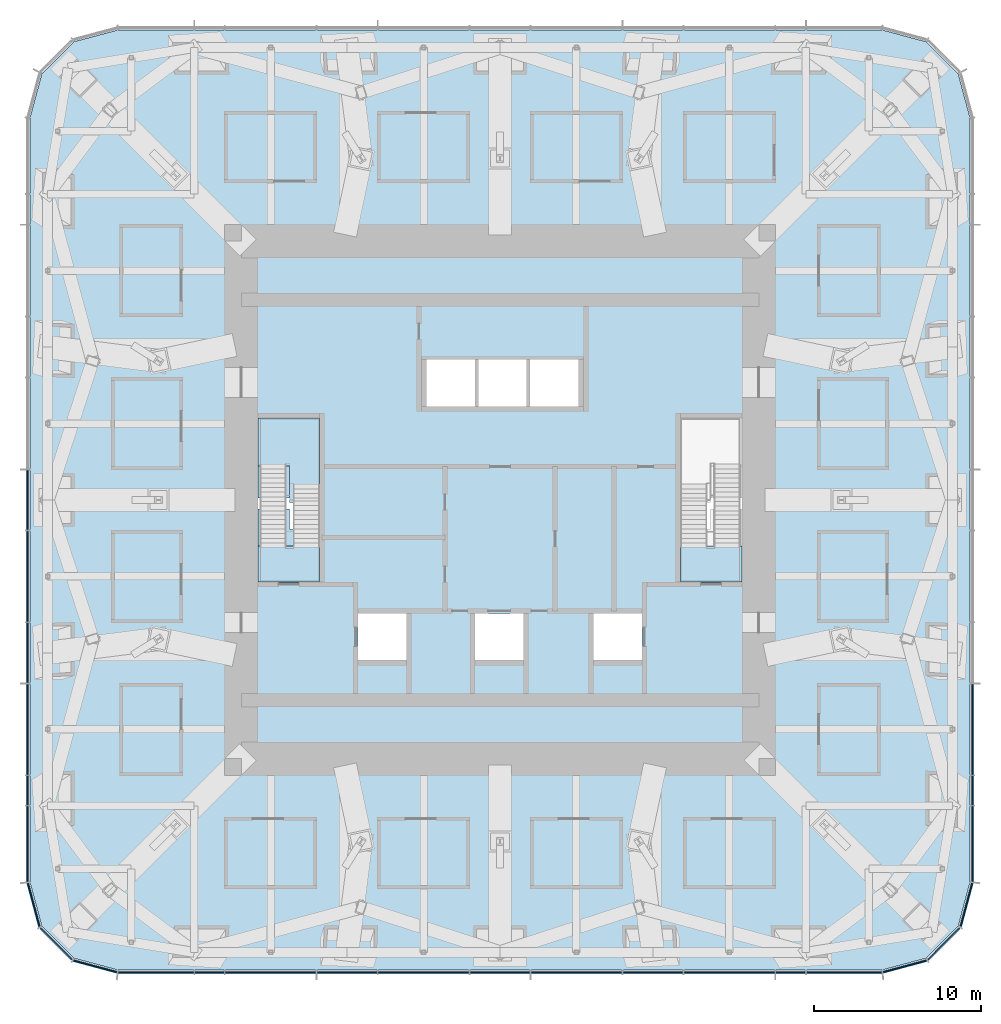
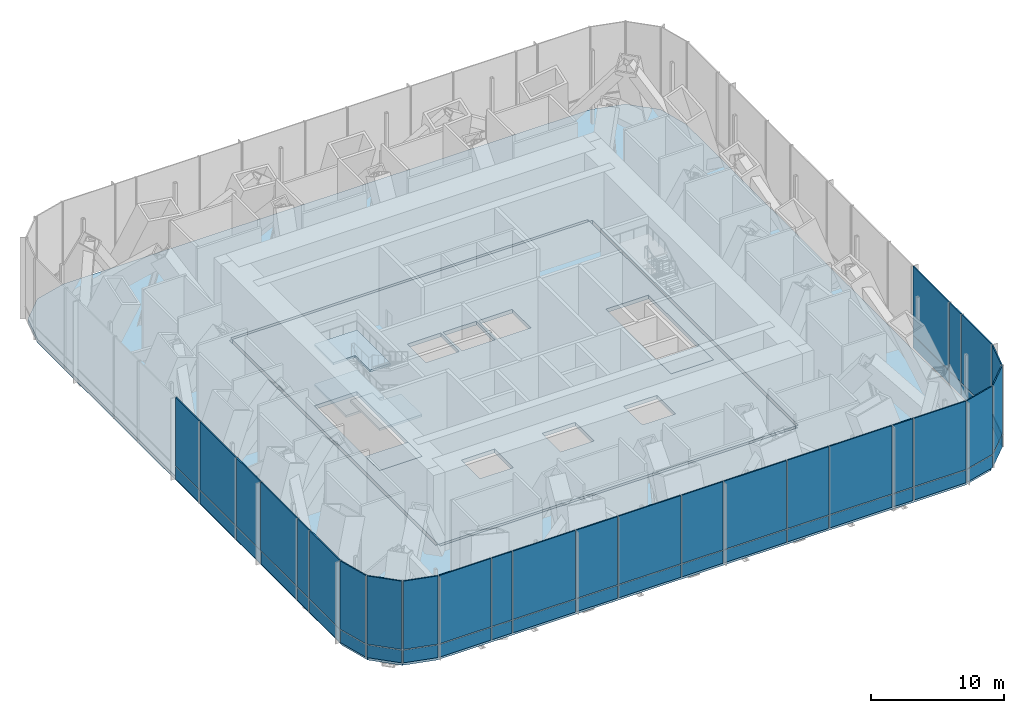
# One storey, part 10 of 16: 52 plates, 7 slabs, 7 elements without a shape of their own.
"""IFC4 building model written with IfcOpenShell, lengths in metres."""

from ifc_helpers import new_model, si_unit, direction, frame, origin, origin_2d, place, context, subcontext, project, spatial, polyline, rectangle, outline, extrude, material, layer, layer_set, type_object, element, aggregate, save


model = new_model("IFC4")

# Units and contexts
model_context = context("Model", 3, precision=1e-05, world=origin(), true_north=direction((0.0, 1.0)))
body_context = subcontext(model_context, "Body", "Model", "MODEL_VIEW")
ifc_project = project(units=[si_unit("LENGTHUNIT", "METRE"), si_unit("AREAUNIT", "SQUARE_METRE"), si_unit("VOLUMEUNIT", "CUBIC_METRE"), si_unit("PLANEANGLEUNIT", "RADIAN"), si_unit("MASSUNIT", "GRAM", prefix="KILO")], contexts=[model_context])

# Site, building, storey
site_placement = place(None, origin())
site = spatial("IfcSite", under=ifc_project, at=site_placement, CompositionType="ELEMENT")
building_placement = place(site_placement, origin())
building = spatial("IfcBuilding", under=site, at=building_placement, Name="Khuree Lantern Residences", CompositionType="ELEMENT")
storey_placement = place(building_placement, frame((0.0, 0.0, 192.0)))
storey = spatial("IfcBuildingStorey", under=building, at=storey_placement, Name="L48", CompositionType="ELEMENT", Elevation=192.0)

# Slabs
ifc_material_1 = material(Name="Concrete C35/45", Category="concrete")
ifc_layer_1 = layer(ifc_material_1, 0.35009765625)
ifc_layer_set_1 = layer_set([ifc_layer_1], Name="CFL350 CORE FLOOR SLAB 350")
slab_type_1 = type_object("IfcSlabType", Name="CFL350 CORE FLOOR SLAB 350", PredefinedType="FLOOR", material=ifc_layer_set_1)
slab_1_placement = place(storey_placement, frame((0.0, 0.0, -0.35009765625)))
element("IfcSlab", 1, at=slab_1_placement, inside=storey, type_object=slab_type_1, Name="Core floor L48", PredefinedType="FLOOR", context=body_context, shape_type="SweptSolid", body=[
    extrude(outline(polyline([(-15.5, -15.5), (-15.5, 15.5), (15.5, 15.5), (15.5, -15.5), (-15.5, -15.5)]), holes=[polyline([(10.800048828125, 4.89990234375), (10.800048828125, -4.89990234375), (14.5, -4.89990234375), (14.5, 4.89990234375), (10.800048828125, 4.89990234375)]), polyline([(5.60009765625, -6.800048828125), (5.60009765625, -9.60009765625), (8.5, -9.60009765625), (8.5, -6.800048828125), (5.60009765625, -6.800048828125)]), polyline([(1.800048828125, 8.39990234375), (1.800048828125, 5.60009765625), (4.699951171875, 5.60009765625), (4.699951171875, 8.39990234375), (1.800048828125, 8.39990234375)]), polyline([(-1.300048828125, 8.39990234375), (-1.300048828125, 5.60009765625), (1.60009765625, 5.60009765625), (1.60009765625, 8.39990234375), (-1.300048828125, 8.39990234375)]), polyline([(-1.5, -6.800048828125), (-1.5, -9.60009765625), (1.39990234375, -9.60009765625), (1.39990234375, -6.800048828125), (-1.5, -6.800048828125)]), polyline([(-4.39990234375, 8.39990234375), (-4.39990234375, 5.60009765625), (-1.5, 5.60009765625), (-1.5, 8.39990234375), (-4.39990234375, 8.39990234375)]), polyline([(-8.5, -6.800048828125), (-8.5, -9.60009765625), (-5.60009765625, -9.60009765625), (-5.60009765625, -6.800048828125), (-8.5, -6.800048828125)]), polyline([(-14.5, 4.89990234375), (-14.5, -4.89990234375), (-10.800048828125, -4.89990234375), (-10.800048828125, 4.89990234375), (-14.5, 4.89990234375)])]), origin(), (0.0, 0.0, 1.0), 0.35009765625),
])
ifc_layer_2 = layer(ifc_material_1, 0.35009765625)
ifc_layer_set_2 = layer_set([ifc_layer_2], Name="FS350 FLOOR SLAB 350")
slab_type_2 = type_object("IfcSlabType", Name="FS350 FLOOR SLAB 350", PredefinedType="FLOOR", material=ifc_layer_set_2)
slab_2_placement = place(storey_placement, frame((0.0, 0.0, -0.35009765625)))
element("IfcSlab", 2, at=slab_2_placement, inside=storey, type_object=slab_type_2, Name="Floor slab L48", PredefinedType="FLOOR", context=body_context, shape_type="SweptSolid", body=[
    extrude(outline(polyline([(-25.52490234375, -27.446533203125), (-27.446533203125, -25.52490234375), (-28.14990234375, -22.89990234375), (-28.14990234375, 22.89990234375), (-27.446533203125, 25.52490234375), (-25.52490234375, 27.446533203125), (-22.89990234375, 28.14990234375), (22.89990234375, 28.14990234375), (25.52490234375, 27.446533203125), (27.446533203125, 25.52490234375), (28.14990234375, 22.89990234375), (28.14990234375, -22.89990234375), (27.446533203125, -25.52490234375), (25.52490234375, -27.446533203125), (22.89990234375, -28.14990234375), (-22.89990234375, -28.14990234375), (-25.52490234375, -27.446533203125)]), holes=[polyline([(15.75, 15.5), (15.5, 15.5), (15.5, 15.75), (-15.5, 15.75), (-15.5, 15.5), (-15.75, 15.5), (-15.75, -15.5), (-15.5, -15.5), (-15.5, -15.75), (15.5, -15.75), (15.5, -15.5), (15.75, -15.5), (15.75, 15.5)])]), origin(), (0.0, 0.0, 1.0), 0.35009765625),
])

# Curtain wall, plates
ifc_material_2 = material(Name="Bronze anodised aluminium", Category="aluminium")
curtain_wall_type = type_object("IfcCurtainWallType", Name="CW-G PLANT STOREY LOUVRED CURTAIN WALL", PredefinedType="USERDEFINED", material=ifc_material_2)
curtain_wall_1_placement = place(storey_placement, origin())
curtain_wall_1 = element("IfcCurtainWall", 3, at=curtain_wall_1_placement, inside=storey, type_object=curtain_wall_type, Name="L48 SOUTH-EAST CORNER CURTAIN WALL", ObjectType="Louvred curtain wall", PredefinedType="USERDEFINED")
ifc_material_3 = material(Name="Bronze anodised aluminium louvre blades", Category="aluminium")
ifc_layer_3 = layer(ifc_material_3, 0.10009765625)
ifc_layer_set_3 = layer_set([ifc_layer_3], Name="LOUVRE PANEL P5")
plate_type_1 = type_object("IfcPlateType", Name="LOUVRE PANEL P5", PredefinedType="CURTAIN_PANEL", material=ifc_layer_set_3)
plate_1_placement = place(storey_placement, frame((24.24609375, -27.939208984375, 1.240234375), z_axis=(0.0, 0.0, 1.0), x_axis=(0.965925810153, 0.258819105321, 0.0)))
plate_1 = element("IfcPlate", 4, at=plate_1_placement, type_object=plate_type_1, Name="L48 SOUTH-EAST CORNER PANEL 1.2", PredefinedType="CURTAIN_PANEL", context=body_context, shape_type="SweptSolid", body=[
    extrude(rectangle(XDim=2.693603515625, YDim=0.10009765625, at=origin_2d()), origin(), (0.0, 0.0, 1.0), 6.260009765625),
])
plate_2_placement = place(storey_placement, frame((26.58837890625, -26.58837890625, 1.240234375), z_axis=(0.0, 0.0, 1.0), x_axis=(0.707106781187, 0.707106781187, 0.0)))
plate_2 = element("IfcPlate", 5, at=plate_2_placement, type_object=plate_type_1, Name="L48 SOUTH-EAST CORNER PANEL 2.2", PredefinedType="CURTAIN_PANEL", context=body_context, shape_type="SweptSolid", body=[
    extrude(rectangle(XDim=2.685546875, YDim=0.10009765625, at=origin_2d()), origin(), (0.0, 0.0, 1.0), 6.260009765625),
])
plate_3_placement = place(storey_placement, frame((27.939208984375, -24.24609375, 1.240234375), z_axis=(0.0, 0.0, 1.0), x_axis=(0.258819105321, 0.965925810153, 0.0)))
plate_3 = element("IfcPlate", 6, at=plate_3_placement, type_object=plate_type_1, Name="L48 SOUTH-EAST CORNER PANEL 3.2", PredefinedType="CURTAIN_PANEL", context=body_context, shape_type="SweptSolid", body=[
    extrude(rectangle(XDim=2.693603515625, YDim=0.10009765625, at=origin_2d()), origin(), (0.0, 0.0, 1.0), 6.260009765625),
])

curtain_wall_2_placement = place(storey_placement, origin())
curtain_wall_2 = element("IfcCurtainWall", 7, at=curtain_wall_2_placement, inside=storey, type_object=curtain_wall_type, Name="L48 EAST FACE CURTAIN WALL", ObjectType="Louvred curtain wall", PredefinedType="USERDEFINED")
plate_4_placement = place(storey_placement, frame((28.300048828125, -20.6064453125, 1.240234375), z_axis=(0.0, 0.0, 1.0), x_axis=(0.0, 1.0, 0.0)))
plate_4 = element("IfcPlate", 8, at=plate_4_placement, type_object=plate_type_1, Name="L48 EAST FACE PANEL 4.2", PredefinedType="CURTAIN_PANEL", context=body_context, shape_type="SweptSolid", body=[
    extrude(rectangle(XDim=4.4931640625, YDim=0.10009765625, at=origin_2d()), origin(), (0.0, 0.0, 1.0), 6.260009765625),
])
plate_5_placement = place(storey_placement, frame((28.300048828125, -17.404052734375, 1.240234375), z_axis=(0.0, 0.0, 1.0), x_axis=(0.0, 1.0, 0.0)))
plate_5 = element("IfcPlate", 9, at=plate_5_placement, type_object=plate_type_1, Name="L48 EAST FACE PANEL 5.2", PredefinedType="CURTAIN_PANEL", context=body_context, shape_type="SweptSolid", body=[
    extrude(rectangle(XDim=1.751953125, YDim=0.10009765625, at=origin_2d()), origin(), (0.0, 0.0, 1.0), 6.260009765625),
])
plate_6_placement = place(storey_placement, frame((28.300048828125, -13.739990234375, 1.240234375), z_axis=(0.0, 0.0, 1.0), x_axis=(0.0, 1.0, 0.0)))
plate_6 = element("IfcPlate", 10, at=plate_6_placement, type_object=plate_type_1, Name="L48 EAST FACE PANEL 6.2", PredefinedType="CURTAIN_PANEL", context=body_context, shape_type="SweptSolid", body=[
    extrude(rectangle(XDim=5.416015625, YDim=0.10009765625, at=origin_2d()), origin(), (0.0, 0.0, 1.0), 6.260009765625),
])

curtain_wall_3_placement = place(storey_placement, origin())
curtain_wall_3 = element("IfcCurtainWall", 11, at=curtain_wall_3_placement, inside=storey, type_object=curtain_wall_type, Name="L48 WEST FACE CURTAIN WALL", ObjectType="Louvred curtain wall", PredefinedType="USERDEFINED")
plate_7_placement = place(storey_placement, frame((-28.300048828125, 0.0, 1.240234375), z_axis=(0.0, 0.0, 1.0), x_axis=(0.0, -1.0, 0.0)))
plate_7 = element("IfcPlate", 12, at=plate_7_placement, type_object=plate_type_1, Name="L48 WEST FACE PANEL 37.2", PredefinedType="CURTAIN_PANEL", context=body_context, shape_type="SweptSolid", body=[
    extrude(rectangle(XDim=3.583984375, YDim=0.10009765625, at=origin_2d()), origin(), (0.0, 0.0, 1.0), 6.260009765625),
])
plate_8_placement = place(storey_placement, frame((-28.300048828125, -4.580078125, 1.240234375), z_axis=(0.0, 0.0, 1.0), x_axis=(0.0, -1.0, 0.0)))
plate_8 = element("IfcPlate", 13, at=plate_8_placement, type_object=plate_type_1, Name="L48 WEST FACE PANEL 38.2", PredefinedType="CURTAIN_PANEL", context=body_context, shape_type="SweptSolid", body=[
    extrude(rectangle(XDim=5.416015625, YDim=0.10009765625, at=origin_2d()), origin(), (0.0, 0.0, 1.0), 6.260009765625),
])
plate_9_placement = place(storey_placement, frame((-28.300048828125, -9.159912109375, 1.240234375), z_axis=(0.0, 0.0, 1.0), x_axis=(0.0, -1.0, 0.0)))
plate_9 = element("IfcPlate", 14, at=plate_9_placement, type_object=plate_type_1, Name="L48 WEST FACE PANEL 39.2", PredefinedType="CURTAIN_PANEL", context=body_context, shape_type="SweptSolid", body=[
    extrude(rectangle(XDim=3.583984375, YDim=0.10009765625, at=origin_2d()), origin(), (0.0, 0.0, 1.0), 6.260009765625),
])
plate_10_placement = place(storey_placement, frame((-28.300048828125, -13.739990234375, 1.240234375), z_axis=(0.0, 0.0, 1.0), x_axis=(0.0, -1.0, 0.0)))
plate_10 = element("IfcPlate", 15, at=plate_10_placement, type_object=plate_type_1, Name="L48 WEST FACE PANEL 40.2", PredefinedType="CURTAIN_PANEL", context=body_context, shape_type="SweptSolid", body=[
    extrude(rectangle(XDim=5.416015625, YDim=0.10009765625, at=origin_2d()), origin(), (0.0, 0.0, 1.0), 6.260009765625),
])
plate_11_placement = place(storey_placement, frame((-28.300048828125, -17.404052734375, 1.240234375), z_axis=(0.0, 0.0, 1.0), x_axis=(0.0, -1.0, 0.0)))
plate_11 = element("IfcPlate", 16, at=plate_11_placement, type_object=plate_type_1, Name="L48 WEST FACE PANEL 41.2", PredefinedType="CURTAIN_PANEL", context=body_context, shape_type="SweptSolid", body=[
    extrude(rectangle(XDim=1.751953125, YDim=0.10009765625, at=origin_2d()), origin(), (0.0, 0.0, 1.0), 6.260009765625),
])
plate_12_placement = place(storey_placement, frame((-28.300048828125, -20.6064453125, 1.240234375), z_axis=(0.0, 0.0, 1.0), x_axis=(0.0, -1.0, 0.0)))
plate_12 = element("IfcPlate", 17, at=plate_12_placement, type_object=plate_type_1, Name="L48 WEST FACE PANEL 42.2", PredefinedType="CURTAIN_PANEL", context=body_context, shape_type="SweptSolid", body=[
    extrude(rectangle(XDim=4.4931640625, YDim=0.10009765625, at=origin_2d()), origin(), (0.0, 0.0, 1.0), 6.260009765625),
])

curtain_wall_4_placement = place(storey_placement, origin())
curtain_wall_4 = element("IfcCurtainWall", 18, at=curtain_wall_4_placement, inside=storey, type_object=curtain_wall_type, Name="L48 SOUTH-WEST CORNER CURTAIN WALL", ObjectType="Louvred curtain wall", PredefinedType="USERDEFINED")
plate_13_placement = place(storey_placement, frame((-27.939208984375, -24.24609375, 1.240234375), z_axis=(0.0, 0.0, 1.0), x_axis=(0.258819105321, -0.965925810153, 0.0)))
plate_13 = element("IfcPlate", 19, at=plate_13_placement, type_object=plate_type_1, Name="L48 SOUTH-WEST CORNER PANEL 43.2", PredefinedType="CURTAIN_PANEL", context=body_context, shape_type="SweptSolid", body=[
    extrude(rectangle(XDim=2.693603515625, YDim=0.10009765625, at=origin_2d()), origin(), (0.0, 0.0, 1.0), 6.260009765625),
])
plate_14_placement = place(storey_placement, frame((-26.58837890625, -26.58837890625, 1.240234375), z_axis=(0.0, 0.0, 1.0), x_axis=(0.707106781187, -0.707106781187, 0.0)))
plate_14 = element("IfcPlate", 20, at=plate_14_placement, type_object=plate_type_1, Name="L48 SOUTH-WEST CORNER PANEL 44.2", PredefinedType="CURTAIN_PANEL", context=body_context, shape_type="SweptSolid", body=[
    extrude(rectangle(XDim=2.685546875, YDim=0.10009765625, at=origin_2d()), origin(), (0.0, 0.0, 1.0), 6.260009765625),
])
plate_15_placement = place(storey_placement, frame((-24.24609375, -27.939208984375, 1.240234375), z_axis=(0.0, 0.0, 1.0), x_axis=(0.965925810153, -0.258819105321, 0.0)))
plate_15 = element("IfcPlate", 21, at=plate_15_placement, type_object=plate_type_1, Name="L48 SOUTH-WEST CORNER PANEL 45.2", PredefinedType="CURTAIN_PANEL", context=body_context, shape_type="SweptSolid", body=[
    extrude(rectangle(XDim=2.693603515625, YDim=0.10009765625, at=origin_2d()), origin(), (0.0, 0.0, 1.0), 6.260009765625),
])

curtain_wall_5_placement = place(storey_placement, origin())
curtain_wall_5 = element("IfcCurtainWall", 22, at=curtain_wall_5_placement, inside=storey, type_object=curtain_wall_type, Name="L48 SOUTH FACE CURTAIN WALL", ObjectType="Louvred curtain wall", PredefinedType="USERDEFINED")
plate_16_placement = place(storey_placement, frame((-20.6064453125, -28.300048828125, 1.240234375), z_axis=(0.0, 0.0, 1.0), x_axis=(1.0, 0.0, 0.0)))
plate_16 = element("IfcPlate", 23, at=plate_16_placement, type_object=plate_type_1, Name="L48 SOUTH FACE PANEL 46.2", PredefinedType="CURTAIN_PANEL", context=body_context, shape_type="SweptSolid", body=[
    extrude(rectangle(XDim=4.4931640625, YDim=0.10009765625, at=origin_2d()), origin(), (0.0, 0.0, 1.0), 6.260009765625),
])
plate_17_placement = place(storey_placement, frame((-17.404052734375, -28.300048828125, 1.240234375), z_axis=(0.0, 0.0, 1.0), x_axis=(1.0, 0.0, 0.0)))
plate_17 = element("IfcPlate", 24, at=plate_17_placement, type_object=plate_type_1, Name="L48 SOUTH FACE PANEL 47.2", PredefinedType="CURTAIN_PANEL", context=body_context, shape_type="SweptSolid", body=[
    extrude(rectangle(XDim=1.751953125, YDim=0.10009765625, at=origin_2d()), origin(), (0.0, 0.0, 1.0), 6.260009765625),
])
plate_18_placement = place(storey_placement, frame((-13.739990234375, -28.300048828125, 1.240234375), z_axis=(0.0, 0.0, 1.0), x_axis=(1.0, 0.0, 0.0)))
plate_18 = element("IfcPlate", 25, at=plate_18_placement, type_object=plate_type_1, Name="L48 SOUTH FACE PANEL 48.2", PredefinedType="CURTAIN_PANEL", context=body_context, shape_type="SweptSolid", body=[
    extrude(rectangle(XDim=5.416015625, YDim=0.10009765625, at=origin_2d()), origin(), (0.0, 0.0, 1.0), 6.260009765625),
])
plate_19_placement = place(storey_placement, frame((-9.159912109375, -28.300048828125, 1.240234375), z_axis=(0.0, 0.0, 1.0), x_axis=(1.0, 0.0, 0.0)))
plate_19 = element("IfcPlate", 26, at=plate_19_placement, type_object=plate_type_1, Name="L48 SOUTH FACE PANEL 49.2", PredefinedType="CURTAIN_PANEL", context=body_context, shape_type="SweptSolid", body=[
    extrude(rectangle(XDim=3.583984375, YDim=0.10009765625, at=origin_2d()), origin(), (0.0, 0.0, 1.0), 6.260009765625),
])
plate_20_placement = place(storey_placement, frame((-4.580078125, -28.300048828125, 1.240234375), z_axis=(0.0, 0.0, 1.0), x_axis=(1.0, 0.0, 0.0)))
plate_20 = element("IfcPlate", 27, at=plate_20_placement, type_object=plate_type_1, Name="L48 SOUTH FACE PANEL 50.2", PredefinedType="CURTAIN_PANEL", context=body_context, shape_type="SweptSolid", body=[
    extrude(rectangle(XDim=5.416015625, YDim=0.10009765625, at=origin_2d()), origin(), (0.0, 0.0, 1.0), 6.260009765625),
])
plate_21_placement = place(storey_placement, frame((0.0, -28.300048828125, 1.240234375), z_axis=(0.0, 0.0, 1.0), x_axis=(1.0, 0.0, 0.0)))
plate_21 = element("IfcPlate", 28, at=plate_21_placement, type_object=plate_type_1, Name="L48 SOUTH FACE PANEL 51.2", PredefinedType="CURTAIN_PANEL", context=body_context, shape_type="SweptSolid", body=[
    extrude(rectangle(XDim=3.583984375, YDim=0.10009765625, at=origin_2d()), origin(), (0.0, 0.0, 1.0), 6.260009765625),
])
plate_22_placement = place(storey_placement, frame((4.580078125, -28.300048828125, 1.240234375), z_axis=(0.0, 0.0, 1.0), x_axis=(1.0, 0.0, 0.0)))
plate_22 = element("IfcPlate", 29, at=plate_22_placement, type_object=plate_type_1, Name="L48 SOUTH FACE PANEL 52.2", PredefinedType="CURTAIN_PANEL", context=body_context, shape_type="SweptSolid", body=[
    extrude(rectangle(XDim=5.416015625, YDim=0.10009765625, at=origin_2d()), origin(), (0.0, 0.0, 1.0), 6.260009765625),
])
plate_23_placement = place(storey_placement, frame((9.159912109375, -28.300048828125, 1.240234375), z_axis=(0.0, 0.0, 1.0), x_axis=(1.0, 0.0, 0.0)))
plate_23 = element("IfcPlate", 30, at=plate_23_placement, type_object=plate_type_1, Name="L48 SOUTH FACE PANEL 53.2", PredefinedType="CURTAIN_PANEL", context=body_context, shape_type="SweptSolid", body=[
    extrude(rectangle(XDim=3.583984375, YDim=0.10009765625, at=origin_2d()), origin(), (0.0, 0.0, 1.0), 6.260009765625),
])
plate_24_placement = place(storey_placement, frame((13.739990234375, -28.300048828125, 1.240234375), z_axis=(0.0, 0.0, 1.0), x_axis=(1.0, 0.0, 0.0)))
plate_24 = element("IfcPlate", 31, at=plate_24_placement, type_object=plate_type_1, Name="L48 SOUTH FACE PANEL 54.2", PredefinedType="CURTAIN_PANEL", context=body_context, shape_type="SweptSolid", body=[
    extrude(rectangle(XDim=5.416015625, YDim=0.10009765625, at=origin_2d()), origin(), (0.0, 0.0, 1.0), 6.260009765625),
])
plate_25_placement = place(storey_placement, frame((17.404052734375, -28.300048828125, 1.240234375), z_axis=(0.0, 0.0, 1.0), x_axis=(1.0, 0.0, 0.0)))
plate_25 = element("IfcPlate", 32, at=plate_25_placement, type_object=plate_type_1, Name="L48 SOUTH FACE PANEL 55.2", PredefinedType="CURTAIN_PANEL", context=body_context, shape_type="SweptSolid", body=[
    extrude(rectangle(XDim=1.751953125, YDim=0.10009765625, at=origin_2d()), origin(), (0.0, 0.0, 1.0), 6.260009765625),
])
plate_26_placement = place(storey_placement, frame((20.6064453125, -28.300048828125, 1.240234375), z_axis=(0.0, 0.0, 1.0), x_axis=(1.0, 0.0, 0.0)))
plate_26 = element("IfcPlate", 33, at=plate_26_placement, type_object=plate_type_1, Name="L48 SOUTH FACE PANEL 56.2", PredefinedType="CURTAIN_PANEL", context=body_context, shape_type="SweptSolid", body=[
    extrude(rectangle(XDim=4.4931640625, YDim=0.10009765625, at=origin_2d()), origin(), (0.0, 0.0, 1.0), 6.260009765625),
])

# Plate
ifc_material_4 = material(Name="Bronze anodised aluminium insulated spandrel", Category="aluminium")
ifc_layer_4 = layer(ifc_material_4, 0.080078125)
ifc_layer_set_4 = layer_set([ifc_layer_4], Name="PLANT SPANDREL PANEL P6")
plate_type_2 = type_object("IfcPlateType", Name="PLANT SPANDREL PANEL P6", PredefinedType="CURTAIN_PANEL", material=ifc_layer_set_4)
plate_27_placement = place(storey_placement, frame((24.246826171875, -27.939208984375, 0.0), z_axis=(0.0, 0.0, 1.0), x_axis=(0.965925810153, 0.258819105321, 0.0)))
plate_27 = element("IfcPlate", 34, at=plate_27_placement, type_object=plate_type_2, Name="L48 SOUTH-EAST CORNER PANEL 1.1", PredefinedType="CURTAIN_PANEL", context=body_context, shape_type="SweptSolid", body=[
    extrude(rectangle(XDim=2.697509765625, YDim=0.080078125, at=origin_2d()), origin(), (0.0, 0.0, 1.0), 1.159912109375),
])

plate_28_placement = place(storey_placement, frame((26.58837890625, -26.58837890625, 0.0), z_axis=(0.0, 0.0, 1.0), x_axis=(0.707106781187, 0.707106781187, 0.0)))
plate_28 = element("IfcPlate", 35, at=plate_28_placement, type_object=plate_type_2, Name="L48 SOUTH-EAST CORNER PANEL 2.1", PredefinedType="CURTAIN_PANEL", context=body_context, shape_type="SweptSolid", body=[
    extrude(rectangle(XDim=2.69091796875, YDim=0.080078125, at=origin_2d()), origin(), (0.0, 0.0, 1.0), 1.159912109375),
])

plate_29_placement = place(storey_placement, frame((27.939208984375, -24.246826171875, 0.0), z_axis=(0.0, 0.0, 1.0), x_axis=(0.258819105321, 0.965925810153, 0.0)))
plate_29 = element("IfcPlate", 36, at=plate_29_placement, type_object=plate_type_2, Name="L48 SOUTH-EAST CORNER PANEL 3.1", PredefinedType="CURTAIN_PANEL", context=body_context, shape_type="SweptSolid", body=[
    extrude(rectangle(XDim=2.697509765625, YDim=0.080078125, at=origin_2d()), origin(), (0.0, 0.0, 1.0), 1.159912109375),
])

aggregate(curtain_wall_1, [plate_27, plate_1, plate_28, plate_2, plate_29, plate_3])

plate_30_placement = place(storey_placement, frame((28.300048828125, -20.607177734375, 0.0), z_axis=(0.0, 0.0, 1.0), x_axis=(0.0, 1.0, 0.0)))
plate_30 = element("IfcPlate", 37, at=plate_30_placement, type_object=plate_type_2, Name="L48 EAST FACE PANEL 4.1", PredefinedType="CURTAIN_PANEL", context=body_context, shape_type="SweptSolid", body=[
    extrude(rectangle(XDim=4.494384765625, YDim=0.080078125, at=origin_2d()), origin(), (0.0, 0.0, 1.0), 1.159912109375),
])

plate_31_placement = place(storey_placement, frame((28.300048828125, -17.404052734375, 0.0), z_axis=(0.0, 0.0, 1.0), x_axis=(0.0, 1.0, 0.0)))
plate_31 = element("IfcPlate", 38, at=plate_31_placement, type_object=plate_type_2, Name="L48 EAST FACE PANEL 5.1", PredefinedType="CURTAIN_PANEL", context=body_context, shape_type="SweptSolid", body=[
    extrude(rectangle(XDim=1.751953125, YDim=0.080078125, at=origin_2d()), origin(), (0.0, 0.0, 1.0), 1.159912109375),
])

plate_32_placement = place(storey_placement, frame((28.300048828125, -13.739990234375, 0.0), z_axis=(0.0, 0.0, 1.0), x_axis=(0.0, 1.0, 0.0)))
plate_32 = element("IfcPlate", 39, at=plate_32_placement, type_object=plate_type_2, Name="L48 EAST FACE PANEL 6.1", PredefinedType="CURTAIN_PANEL", context=body_context, shape_type="SweptSolid", body=[
    extrude(rectangle(XDim=5.416015625, YDim=0.080078125, at=origin_2d()), origin(), (0.0, 0.0, 1.0), 1.159912109375),
])

aggregate(curtain_wall_2, [plate_30, plate_4, plate_31, plate_5, plate_32, plate_6])

plate_33_placement = place(storey_placement, frame((-28.300048828125, 0.0, 0.0), z_axis=(0.0, 0.0, 1.0), x_axis=(0.0, -1.0, 0.0)))
plate_33 = element("IfcPlate", 40, at=plate_33_placement, type_object=plate_type_2, Name="L48 WEST FACE PANEL 37.1", PredefinedType="CURTAIN_PANEL", context=body_context, shape_type="SweptSolid", body=[
    extrude(rectangle(XDim=3.583984375, YDim=0.080078125, at=origin_2d()), origin(), (0.0, 0.0, 1.0), 1.159912109375),
])

plate_34_placement = place(storey_placement, frame((-28.300048828125, -4.580078125, 0.0), z_axis=(0.0, 0.0, 1.0), x_axis=(0.0, -1.0, 0.0)))
plate_34 = element("IfcPlate", 41, at=plate_34_placement, type_object=plate_type_2, Name="L48 WEST FACE PANEL 38.1", PredefinedType="CURTAIN_PANEL", context=body_context, shape_type="SweptSolid", body=[
    extrude(rectangle(XDim=5.416015625, YDim=0.080078125, at=origin_2d()), origin(), (0.0, 0.0, 1.0), 1.159912109375),
])

plate_35_placement = place(storey_placement, frame((-28.300048828125, -9.159912109375, 0.0), z_axis=(0.0, 0.0, 1.0), x_axis=(0.0, -1.0, 0.0)))
plate_35 = element("IfcPlate", 42, at=plate_35_placement, type_object=plate_type_2, Name="L48 WEST FACE PANEL 39.1", PredefinedType="CURTAIN_PANEL", context=body_context, shape_type="SweptSolid", body=[
    extrude(rectangle(XDim=3.583984375, YDim=0.080078125, at=origin_2d()), origin(), (0.0, 0.0, 1.0), 1.159912109375),
])

plate_36_placement = place(storey_placement, frame((-28.300048828125, -13.739990234375, 0.0), z_axis=(0.0, 0.0, 1.0), x_axis=(0.0, -1.0, 0.0)))
plate_36 = element("IfcPlate", 43, at=plate_36_placement, type_object=plate_type_2, Name="L48 WEST FACE PANEL 40.1", PredefinedType="CURTAIN_PANEL", context=body_context, shape_type="SweptSolid", body=[
    extrude(rectangle(XDim=5.416015625, YDim=0.080078125, at=origin_2d()), origin(), (0.0, 0.0, 1.0), 1.159912109375),
])

plate_37_placement = place(storey_placement, frame((-28.300048828125, -17.404052734375, 0.0), z_axis=(0.0, 0.0, 1.0), x_axis=(0.0, -1.0, 0.0)))
plate_37 = element("IfcPlate", 44, at=plate_37_placement, type_object=plate_type_2, Name="L48 WEST FACE PANEL 41.1", PredefinedType="CURTAIN_PANEL", context=body_context, shape_type="SweptSolid", body=[
    extrude(rectangle(XDim=1.751953125, YDim=0.080078125, at=origin_2d()), origin(), (0.0, 0.0, 1.0), 1.159912109375),
])

plate_38_placement = place(storey_placement, frame((-28.300048828125, -20.607177734375, 0.0), z_axis=(0.0, 0.0, 1.0), x_axis=(0.0, -1.0, 0.0)))
plate_38 = element("IfcPlate", 45, at=plate_38_placement, type_object=plate_type_2, Name="L48 WEST FACE PANEL 42.1", PredefinedType="CURTAIN_PANEL", context=body_context, shape_type="SweptSolid", body=[
    extrude(rectangle(XDim=4.494384765625, YDim=0.080078125, at=origin_2d()), origin(), (0.0, 0.0, 1.0), 1.159912109375),
])

aggregate(curtain_wall_3, [plate_33, plate_7, plate_34, plate_8, plate_35, plate_9, plate_36, plate_10, plate_37, plate_11, plate_38, plate_12])

plate_39_placement = place(storey_placement, frame((-27.939208984375, -24.246826171875, 0.0), z_axis=(0.0, 0.0, 1.0), x_axis=(0.258819105321, -0.965925810153, 0.0)))
plate_39 = element("IfcPlate", 46, at=plate_39_placement, type_object=plate_type_2, Name="L48 SOUTH-WEST CORNER PANEL 43.1", PredefinedType="CURTAIN_PANEL", context=body_context, shape_type="SweptSolid", body=[
    extrude(rectangle(XDim=2.697509765625, YDim=0.080078125, at=origin_2d()), origin(), (0.0, 0.0, 1.0), 1.159912109375),
])

plate_40_placement = place(storey_placement, frame((-26.58837890625, -26.58837890625, 0.0), z_axis=(0.0, 0.0, 1.0), x_axis=(0.707106781187, -0.707106781187, 0.0)))
plate_40 = element("IfcPlate", 47, at=plate_40_placement, type_object=plate_type_2, Name="L48 SOUTH-WEST CORNER PANEL 44.1", PredefinedType="CURTAIN_PANEL", context=body_context, shape_type="SweptSolid", body=[
    extrude(rectangle(XDim=2.69091796875, YDim=0.080078125, at=origin_2d()), origin(), (0.0, 0.0, 1.0), 1.159912109375),
])

plate_41_placement = place(storey_placement, frame((-24.246826171875, -27.939208984375, 0.0), z_axis=(0.0, 0.0, 1.0), x_axis=(0.965925810153, -0.258819105321, 0.0)))
plate_41 = element("IfcPlate", 48, at=plate_41_placement, type_object=plate_type_2, Name="L48 SOUTH-WEST CORNER PANEL 45.1", PredefinedType="CURTAIN_PANEL", context=body_context, shape_type="SweptSolid", body=[
    extrude(rectangle(XDim=2.697509765625, YDim=0.080078125, at=origin_2d()), origin(), (0.0, 0.0, 1.0), 1.159912109375),
])

aggregate(curtain_wall_4, [plate_39, plate_13, plate_40, plate_14, plate_41, plate_15])

plate_42_placement = place(storey_placement, frame((-20.607177734375, -28.300048828125, 0.0), z_axis=(0.0, 0.0, 1.0), x_axis=(1.0, 0.0, 0.0)))
plate_42 = element("IfcPlate", 49, at=plate_42_placement, type_object=plate_type_2, Name="L48 SOUTH FACE PANEL 46.1", PredefinedType="CURTAIN_PANEL", context=body_context, shape_type="SweptSolid", body=[
    extrude(rectangle(XDim=4.494384765625, YDim=0.080078125, at=origin_2d()), origin(), (0.0, 0.0, 1.0), 1.159912109375),
])

plate_43_placement = place(storey_placement, frame((-17.404052734375, -28.300048828125, 0.0), z_axis=(0.0, 0.0, 1.0), x_axis=(1.0, 0.0, 0.0)))
plate_43 = element("IfcPlate", 50, at=plate_43_placement, type_object=plate_type_2, Name="L48 SOUTH FACE PANEL 47.1", PredefinedType="CURTAIN_PANEL", context=body_context, shape_type="SweptSolid", body=[
    extrude(rectangle(XDim=1.751953125, YDim=0.080078125, at=origin_2d()), origin(), (0.0, 0.0, 1.0), 1.159912109375),
])

plate_44_placement = place(storey_placement, frame((-13.739990234375, -28.300048828125, 0.0), z_axis=(0.0, 0.0, 1.0), x_axis=(1.0, 0.0, 0.0)))
plate_44 = element("IfcPlate", 51, at=plate_44_placement, type_object=plate_type_2, Name="L48 SOUTH FACE PANEL 48.1", PredefinedType="CURTAIN_PANEL", context=body_context, shape_type="SweptSolid", body=[
    extrude(rectangle(XDim=5.416015625, YDim=0.080078125, at=origin_2d()), origin(), (0.0, 0.0, 1.0), 1.159912109375),
])

plate_45_placement = place(storey_placement, frame((-9.159912109375, -28.300048828125, 0.0), z_axis=(0.0, 0.0, 1.0), x_axis=(1.0, 0.0, 0.0)))
plate_45 = element("IfcPlate", 52, at=plate_45_placement, type_object=plate_type_2, Name="L48 SOUTH FACE PANEL 49.1", PredefinedType="CURTAIN_PANEL", context=body_context, shape_type="SweptSolid", body=[
    extrude(rectangle(XDim=3.583984375, YDim=0.080078125, at=origin_2d()), origin(), (0.0, 0.0, 1.0), 1.159912109375),
])

plate_46_placement = place(storey_placement, frame((-4.580078125, -28.300048828125, 0.0), z_axis=(0.0, 0.0, 1.0), x_axis=(1.0, 0.0, 0.0)))
plate_46 = element("IfcPlate", 53, at=plate_46_placement, type_object=plate_type_2, Name="L48 SOUTH FACE PANEL 50.1", PredefinedType="CURTAIN_PANEL", context=body_context, shape_type="SweptSolid", body=[
    extrude(rectangle(XDim=5.416015625, YDim=0.080078125, at=origin_2d()), origin(), (0.0, 0.0, 1.0), 1.159912109375),
])

plate_47_placement = place(storey_placement, frame((0.0, -28.300048828125, 0.0), z_axis=(0.0, 0.0, 1.0), x_axis=(1.0, 0.0, 0.0)))
plate_47 = element("IfcPlate", 54, at=plate_47_placement, type_object=plate_type_2, Name="L48 SOUTH FACE PANEL 51.1", PredefinedType="CURTAIN_PANEL", context=body_context, shape_type="SweptSolid", body=[
    extrude(rectangle(XDim=3.583984375, YDim=0.080078125, at=origin_2d()), origin(), (0.0, 0.0, 1.0), 1.159912109375),
])

plate_48_placement = place(storey_placement, frame((4.580078125, -28.300048828125, 0.0), z_axis=(0.0, 0.0, 1.0), x_axis=(1.0, 0.0, 0.0)))
plate_48 = element("IfcPlate", 55, at=plate_48_placement, type_object=plate_type_2, Name="L48 SOUTH FACE PANEL 52.1", PredefinedType="CURTAIN_PANEL", context=body_context, shape_type="SweptSolid", body=[
    extrude(rectangle(XDim=5.416015625, YDim=0.080078125, at=origin_2d()), origin(), (0.0, 0.0, 1.0), 1.159912109375),
])

plate_49_placement = place(storey_placement, frame((9.159912109375, -28.300048828125, 0.0), z_axis=(0.0, 0.0, 1.0), x_axis=(1.0, 0.0, 0.0)))
plate_49 = element("IfcPlate", 56, at=plate_49_placement, type_object=plate_type_2, Name="L48 SOUTH FACE PANEL 53.1", PredefinedType="CURTAIN_PANEL", context=body_context, shape_type="SweptSolid", body=[
    extrude(rectangle(XDim=3.583984375, YDim=0.080078125, at=origin_2d()), origin(), (0.0, 0.0, 1.0), 1.159912109375),
])

plate_50_placement = place(storey_placement, frame((13.739990234375, -28.300048828125, 0.0), z_axis=(0.0, 0.0, 1.0), x_axis=(1.0, 0.0, 0.0)))
plate_50 = element("IfcPlate", 57, at=plate_50_placement, type_object=plate_type_2, Name="L48 SOUTH FACE PANEL 54.1", PredefinedType="CURTAIN_PANEL", context=body_context, shape_type="SweptSolid", body=[
    extrude(rectangle(XDim=5.416015625, YDim=0.080078125, at=origin_2d()), origin(), (0.0, 0.0, 1.0), 1.159912109375),
])

plate_51_placement = place(storey_placement, frame((17.404052734375, -28.300048828125, 0.0), z_axis=(0.0, 0.0, 1.0), x_axis=(1.0, 0.0, 0.0)))
plate_51 = element("IfcPlate", 58, at=plate_51_placement, type_object=plate_type_2, Name="L48 SOUTH FACE PANEL 55.1", PredefinedType="CURTAIN_PANEL", context=body_context, shape_type="SweptSolid", body=[
    extrude(rectangle(XDim=1.751953125, YDim=0.080078125, at=origin_2d()), origin(), (0.0, 0.0, 1.0), 1.159912109375),
])

plate_52_placement = place(storey_placement, frame((20.607177734375, -28.300048828125, 0.0), z_axis=(0.0, 0.0, 1.0), x_axis=(1.0, 0.0, 0.0)))
plate_52 = element("IfcPlate", 59, at=plate_52_placement, type_object=plate_type_2, Name="L48 SOUTH FACE PANEL 56.1", PredefinedType="CURTAIN_PANEL", context=body_context, shape_type="SweptSolid", body=[
    extrude(rectangle(XDim=4.494384765625, YDim=0.080078125, at=origin_2d()), origin(), (0.0, 0.0, 1.0), 1.159912109375),
])

aggregate(curtain_wall_5, [plate_42, plate_16, plate_43, plate_17, plate_44, plate_18, plate_45, plate_19, plate_46, plate_20, plate_47, plate_21, plate_48, plate_22, plate_49, plate_23, plate_50, plate_24, plate_51, plate_25, plate_52, plate_26])

# Stair, slabs
ifc_material_5 = material(Name="Concrete C40/50", Category="concrete")
stair_type = type_object("IfcStairType", Name="STAIR ST1 HALF TURN 3600", PredefinedType="HALF_TURN_STAIR", material=ifc_material_5)
stair_1_placement = place(storey_placement, origin())
stair_1 = element("IfcStair", 60, at=stair_1_placement, inside=storey, type_object=stair_type, Name="Stair ST1", PredefinedType="HALF_TURN_STAIR")
ifc_layer_5 = layer(ifc_material_5, 0.199951171875)
ifc_layer_set_5 = layer_set([ifc_layer_5], Name="STAIR LANDING SL1 200")
slab_type_3 = type_object("IfcSlabType", Name="STAIR LANDING SL1 200", PredefinedType="LANDING", material=ifc_layer_set_5)
slab_3_placement = place(storey_placement, frame((0.0, 0.0, -0.199951171875)))
slab_3 = element("IfcSlab", 61, at=slab_3_placement, type_object=slab_type_3, Name="ST1 landing 1", PredefinedType="LANDING", context=body_context, shape_type="SweptSolid", body=[
    extrude(outline(polyline([(-14.5, -4.89990234375), (-10.800048828125, -4.89990234375), (-10.800048828125, -2.760009765625), (-14.5, -2.760009765625), (-14.5, -4.89990234375)])), origin(), (0.0, 0.0, 1.0), 0.199951171875),
])
slab_4_placement = place(storey_placement, frame((0.0, 0.0, 1.800048828125)))
slab_4 = element("IfcSlab", 62, at=slab_4_placement, type_object=slab_type_3, Name="ST1 landing 2", PredefinedType="LANDING", context=body_context, shape_type="SweptSolid", body=[
    extrude(outline(polyline([(-12.60009765625, 0.1201171875), (-14.5, 0.1201171875), (-14.5, 4.89990234375), (-10.800048828125, 4.89990234375), (-10.800048828125, 0.85009765625), (-12.60009765625, 0.85009765625), (-12.60009765625, 0.1201171875)])), origin(), (0.0, 0.0, 1.0), 0.199951171875),
])
slab_5_placement = place(storey_placement, frame((0.0, 0.0, 3.63330078125)))
slab_5 = element("IfcSlab", 63, at=slab_5_placement, type_object=slab_type_3, Name="ST1 landing 3", PredefinedType="LANDING", context=body_context, shape_type="SweptSolid", body=[
    extrude(outline(polyline([(-10.800048828125, -1.75), (-10.800048828125, -4.89990234375), (-14.5, -4.89990234375), (-14.5, -0.550048828125), (-12.60009765625, -0.550048828125), (-12.60009765625, -1.75), (-10.800048828125, -1.75)])), origin(), (0.0, 0.0, 1.0), 0.199951171875),
])
slab_6_placement = place(storey_placement, frame((0.0, 0.0, 5.466552734375)))
slab_6 = element("IfcSlab", 64, at=slab_6_placement, type_object=slab_type_3, Name="ST1 landing 4", PredefinedType="LANDING", context=body_context, shape_type="SweptSolid", body=[
    extrude(outline(polyline([(-10.800048828125, 4.89990234375), (-10.800048828125, -0.159912109375), (-12.60009765625, -0.159912109375), (-12.60009765625, 2.050048828125), (-14.5, 2.050048828125), (-14.5, 4.89990234375), (-10.800048828125, 4.89990234375)])), origin(), (0.0, 0.0, 1.0), 0.2001953125),
])
aggregate(stair_1, [slab_3, slab_4, slab_5, slab_6])

# Stair, slab
stair_2_placement = place(storey_placement, origin())
stair_2 = element("IfcStair", 65, at=stair_2_placement, inside=storey, type_object=stair_type, Name="Stair ST2", PredefinedType="HALF_TURN_STAIR")
slab_7_placement = place(storey_placement, frame((0.0, 0.0, -0.199951171875)))
slab_7 = element("IfcSlab", 66, at=slab_7_placement, type_object=slab_type_3, Name="ST2 landing 1", PredefinedType="LANDING", context=body_context, shape_type="SweptSolid", body=[
    extrude(outline(polyline([(10.800048828125, -4.89990234375), (14.5, -4.89990234375), (14.5, -2.760009765625), (10.800048828125, -2.760009765625), (10.800048828125, -4.89990234375)])), origin(), (0.0, 0.0, 1.0), 0.199951171875),
])
aggregate(stair_2, [slab_7])

save(model, "model.ifc")
